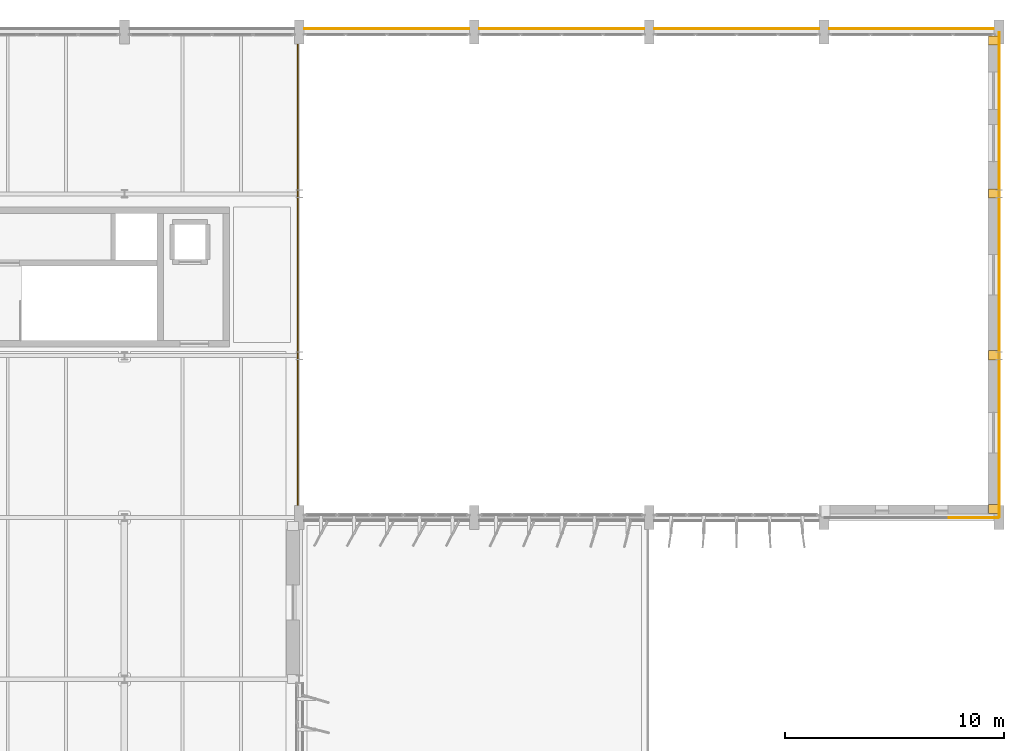
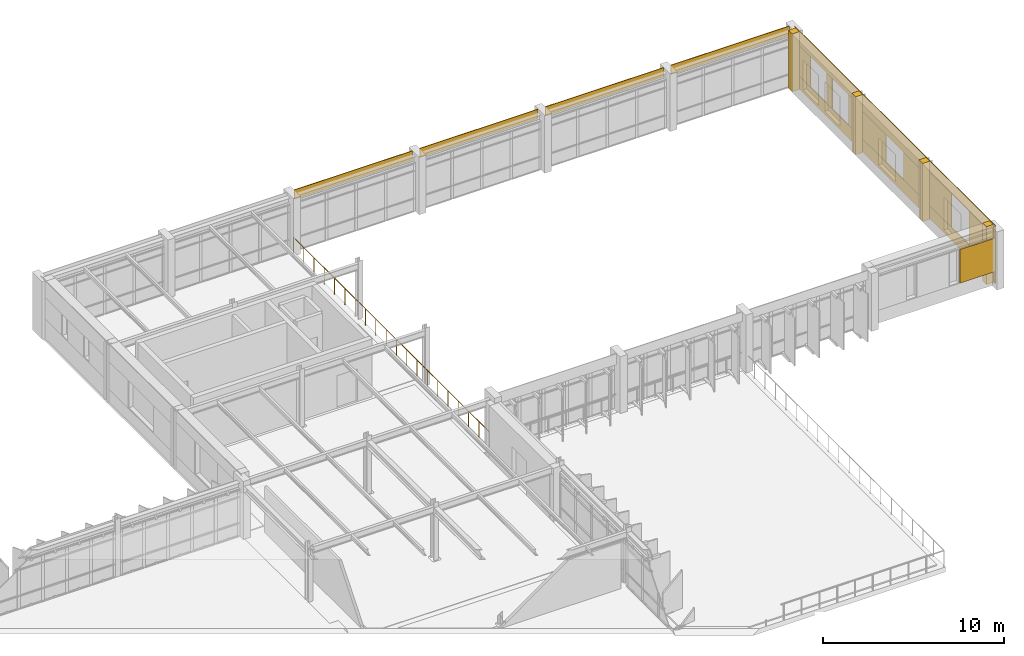
# One storey, part 45 of 45: 22 coverings, 1 railing.
"""IFC4 building model written with IfcOpenShell, lengths in metres."""

from ifc_helpers import new_model, si_unit, direction, frame, frame_2d, origin, origin_2d, place, context, subcontext, project, spatial, rectangle, circle, extrude, material, layer, layer_set, type_object, element, save


model = new_model("IFC4")

# Units and contexts
model_context = context("Model", 3, precision=1e-05, world=origin(), true_north=direction((0.0, 1.0)))
body_context = subcontext(model_context, "Body", "Model", "MODEL_VIEW")
ifc_project = project(units=[si_unit("LENGTHUNIT", "METRE"), si_unit("AREAUNIT", "SQUARE_METRE"), si_unit("VOLUMEUNIT", "CUBIC_METRE"), si_unit("PLANEANGLEUNIT", "RADIAN"), si_unit("MASSUNIT", "GRAM", prefix="KILO")], contexts=[model_context])

# Site, building, storey
site_placement = place(None, origin())
site = spatial("IfcSite", under=ifc_project, at=site_placement, CompositionType="ELEMENT")
building_placement = place(site_placement, origin())
building = spatial("IfcBuilding", under=site, at=building_placement, Name="Valkorina Park Police Headquarters", CompositionType="ELEMENT")
storey_placement = place(building_placement, frame((0.0, 0.0, 23.300048828125)))
storey = spatial("IfcBuildingStorey", under=building, at=storey_placement, Name="L06", CompositionType="ELEMENT", Elevation=23.300048828125)

# Coverings
ifc_material_1 = material(Name="Precast concrete C40/50", Category="concrete")
ifc_layer = layer(ifc_material_1, 0.044921875)
ifc_layer_set = layer_set([ifc_layer], Name="Precast concrete C40/50")
covering_type = type_object("IfcCoveringType", Name="COV-CLAD-DOLOMITE", PredefinedType="CLADDING", material=ifc_layer_set)
for number, where, z_axis, x_axis, name in (
    (1, (97.034912109375, 81.56005859375, 3.280029296875), (0.0, 0.0, 1.0), (1.0, 0.0, 0.0), "L06 Spandrel Beam Insulated Fascia 2506"),
    (2, (105.034912109375, 81.56005859375, 3.280029296875), (0.0, 0.0, 1.0), (1.0, 0.0, 0.0), "L06 Spandrel Beam Insulated Fascia 2507"),
    (3, (113.034912109375, 81.56005859375, 3.280029296875), (0.0, 0.0, 1.0), (1.0, 0.0, 0.0), "L06 Spandrel Beam Insulated Fascia 2508"),
    (4, (121.034912109375, 81.56005859375, 3.280029296875), (0.0, 0.0, 1.0), (1.0, 0.0, 0.0), "L06 Spandrel Beam Insulated Fascia 2509"),
):
    element("IfcCovering", number, at=place(storey_placement, frame(where, z_axis=z_axis, x_axis=x_axis)), inside=storey, type_object=covering_type, Name=name, PredefinedType="CLADDING", context=body_context, shape_type="SweptSolid", body=[
        extrude(rectangle(XDim=7.530029296875, YDim=0.044921875, at=frame_2d((3.76513671875, 0.0))), origin(), (0.0, 0.0, 1.0), 0.619873046875),
    ])
for number, where, z_axis, x_axis, name in (
    (5, (128.550048828125, 81.010009765625, 0.0), (0.0, 0.0, 1.0), (0.0, 1.0, 0.0), "L06 Exterior Joint Closure Pilaster A 2510"),
    (6, (128.550048828125, 74.02001953125, 0.0), (0.0, 0.0, 1.0), (0.0, 1.0, 0.0), "L06 Exterior Joint Closure Pilaster B 2511"),
):
    element("IfcCovering", number, at=place(storey_placement, frame(where, z_axis=z_axis, x_axis=x_axis)), inside=storey, type_object=covering_type, Name=name, PredefinedType="CLADDING", context=body_context, shape_type="SweptSolid", body=[
        extrude(rectangle(XDim=0.419921875, YDim=0.449951171875, at=origin_2d()), origin(), (0.0, 0.0, 1.0), 3.89990234375),
    ])
covering_1_placement = place(storey_placement, frame((128.81494140625, 81.3798828125, 0.0), z_axis=(0.0, 0.0, 1.0), x_axis=(0.0, -1.0, 0.0)))
element("IfcCovering", 7, at=covering_1_placement, inside=storey, type_object=covering_type, Name="L06 Calm Concrete Base Sill Spandrel 2512", PredefinedType="CLADDING", context=body_context, shape_type="SweptSolid", body=[
    extrude(rectangle(XDim=7.35986328125, YDim=0.044921875, at=frame_2d((3.679931640625, 0.0))), origin(), (0.0, 0.0, 1.0), 0.869873046875),
])
covering_2_placement = place(storey_placement, frame((128.81494140625, 81.3798828125, 2.929931640625), z_axis=(0.0, 0.0, 1.0), x_axis=(0.0, -1.0, 0.0)))
element("IfcCovering", 8, at=covering_2_placement, inside=storey, type_object=covering_type, Name="L06 Calm Concrete Base Lintel Spandrel 2513", PredefinedType="CLADDING", context=body_context, shape_type="SweptSolid", body=[
    extrude(rectangle(XDim=7.35986328125, YDim=0.044921875, at=frame_2d((3.679931640625, 0.0))), origin(), (0.0, 0.0, 1.0), 0.969970703125),
])
covering_3_placement = place(storey_placement, frame((128.81494140625, 81.3798828125, 0.869873046875), z_axis=(0.0, 0.0, 1.0), x_axis=(0.0, -1.0, 0.0)))
element("IfcCovering", 9, at=covering_3_placement, inside=storey, type_object=covering_type, Name="L06 Calm Concrete Base Slot Pier 2514", PredefinedType="CLADDING", context=body_context, shape_type="SweptSolid", body=[
    extrude(rectangle(XDim=1.767822265625, YDim=0.044921875, at=frame_2d((0.8837890625, 0.0))), origin(), (0.0, 0.0, 1.0), 2.06005859375),
])
covering_4_placement = place(storey_placement, frame((128.81494140625, 77.81201171875, 0.869873046875), z_axis=(0.0, 0.0, 1.0), x_axis=(0.0, -1.0, 0.0)))
element("IfcCovering", 10, at=covering_4_placement, inside=storey, type_object=covering_type, Name="L06 Calm Concrete Base Slot Pier 2515", PredefinedType="CLADDING", context=body_context, shape_type="SweptSolid", body=[
    extrude(rectangle(XDim=0.593994140625, YDim=0.044921875, at=frame_2d((0.296875, 0.0))), origin(), (0.0, 0.0, 1.0), 2.06005859375),
])
covering_5_placement = place(storey_placement, frame((128.81494140625, 75.41796875, 0.869873046875), z_axis=(0.0, 0.0, 1.0), x_axis=(0.0, -1.0, 0.0)))
element("IfcCovering", 11, at=covering_5_placement, inside=storey, type_object=covering_type, Name="L06 Calm Concrete Base Slot Pier 2516", PredefinedType="CLADDING", context=body_context, shape_type="SweptSolid", body=[
    extrude(rectangle(XDim=1.39794921875, YDim=0.044921875, at=frame_2d((0.698974609375, 0.0))), origin(), (0.0, 0.0, 1.0), 2.06005859375),
])
covering_6_placement = place(storey_placement, frame((128.550048828125, 66.6201171875, 0.0), z_axis=(0.0, 0.0, 1.0), x_axis=(0.0, 1.0, 0.0)))
element("IfcCovering", 12, at=covering_6_placement, inside=storey, type_object=covering_type, Name="L06 Exterior Joint Closure Pilaster B 2517", PredefinedType="CLADDING", context=body_context, shape_type="SweptSolid", body=[
    extrude(rectangle(XDim=0.419921875, YDim=0.449951171875, at=origin_2d()), origin(), (0.0, 0.0, 1.0), 3.89990234375),
])
covering_7_placement = place(storey_placement, frame((128.81494140625, 73.97998046875, 0.0), z_axis=(0.0, 0.0, 1.0), x_axis=(0.0, -1.0, 0.0)))
element("IfcCovering", 13, at=covering_7_placement, inside=storey, type_object=covering_type, Name="L06 Calm Concrete Base Sill Spandrel 2518", PredefinedType="CLADDING", context=body_context, shape_type="SweptSolid", body=[
    extrude(rectangle(XDim=7.35986328125, YDim=0.044921875, at=frame_2d((3.679931640625, 0.0))), origin(), (0.0, 0.0, 1.0), 0.869873046875),
])
covering_8_placement = place(storey_placement, frame((128.81494140625, 73.97998046875, 2.72998046875), z_axis=(0.0, 0.0, 1.0), x_axis=(0.0, -1.0, 0.0)))
element("IfcCovering", 14, at=covering_8_placement, inside=storey, type_object=covering_type, Name="L06 Calm Concrete Base Lintel Spandrel 2519", PredefinedType="CLADDING", context=body_context, shape_type="SweptSolid", body=[
    extrude(rectangle(XDim=7.35986328125, YDim=0.044921875, at=frame_2d((3.679931640625, 0.0))), origin(), (0.0, 0.0, 1.0), 1.169921875),
])
covering_9_placement = place(storey_placement, frame((128.81494140625, 73.97998046875, 0.869873046875), z_axis=(0.0, 0.0, 1.0), x_axis=(0.0, -1.0, 0.0)))
element("IfcCovering", 15, at=covering_9_placement, inside=storey, type_object=covering_type, Name="L06 Calm Concrete Base Slot Pier 2520", PredefinedType="CLADDING", context=body_context, shape_type="SweptSolid", body=[
    extrude(rectangle(XDim=2.705078125, YDim=0.044921875, at=frame_2d((1.3525390625, 0.0))), origin(), (0.0, 0.0, 1.0), 1.860107421875),
])
covering_10_placement = place(storey_placement, frame((128.81494140625, 69.324951171875, 0.869873046875), z_axis=(0.0, 0.0, 1.0), x_axis=(0.0, -1.0, 0.0)))
element("IfcCovering", 16, at=covering_10_placement, inside=storey, type_object=covering_type, Name="L06 Calm Concrete Base Slot Pier 2521", PredefinedType="CLADDING", context=body_context, shape_type="SweptSolid", body=[
    extrude(rectangle(XDim=2.704833984375, YDim=0.044921875, at=frame_2d((1.3525390625, 0.0))), origin(), (0.0, 0.0, 1.0), 1.860107421875),
])
covering_11_placement = place(storey_placement, frame((128.550048828125, 59.590087890625, 0.0), z_axis=(0.0, 0.0, 1.0), x_axis=(0.0, 1.0, 0.0)))
element("IfcCovering", 17, at=covering_11_placement, inside=storey, type_object=covering_type, Name="L06 Exterior Joint Closure Pilaster B 2522", PredefinedType="CLADDING", context=body_context, shape_type="SweptSolid", body=[
    extrude(rectangle(XDim=0.419921875, YDim=0.449951171875, at=origin_2d()), origin(), (0.0, 0.0, 1.0), 3.89990234375),
])
covering_12_placement = place(storey_placement, frame((128.81494140625, 66.580078125, 0.0), z_axis=(0.0, 0.0, 1.0), x_axis=(0.0, -1.0, 0.0)))
element("IfcCovering", 18, at=covering_12_placement, inside=storey, type_object=covering_type, Name="L06 Calm Concrete Base Sill Spandrel 2523", PredefinedType="CLADDING", context=body_context, shape_type="SweptSolid", body=[
    extrude(rectangle(XDim=7.360107421875, YDim=0.044921875, at=frame_2d((3.68017578125, 0.0))), origin(), (0.0, 0.0, 1.0), 0.869873046875),
])
covering_13_placement = place(storey_placement, frame((128.81494140625, 66.580078125, 3.1298828125), z_axis=(0.0, 0.0, 1.0), x_axis=(0.0, -1.0, 0.0)))
element("IfcCovering", 19, at=covering_13_placement, inside=storey, type_object=covering_type, Name="L06 Calm Concrete Base Lintel Spandrel 2524", PredefinedType="CLADDING", context=body_context, shape_type="SweptSolid", body=[
    extrude(rectangle(XDim=7.360107421875, YDim=0.044921875, at=frame_2d((3.68017578125, 0.0))), origin(), (0.0, 0.0, 1.0), 0.77001953125),
])
covering_14_placement = place(storey_placement, frame((128.81494140625, 66.580078125, 0.869873046875), z_axis=(0.0, 0.0, 1.0), x_axis=(0.0, -1.0, 0.0)))
element("IfcCovering", 20, at=covering_14_placement, inside=storey, type_object=covering_type, Name="L06 Calm Concrete Base Slot Pier 2525", PredefinedType="CLADDING", context=body_context, shape_type="SweptSolid", body=[
    extrude(rectangle(XDim=2.52001953125, YDim=0.044921875, at=frame_2d((1.260009765625, 0.0))), origin(), (0.0, 0.0, 1.0), 2.260009765625),
])
covering_15_placement = place(storey_placement, frame((128.81494140625, 62.110107421875, 0.869873046875), z_axis=(0.0, 0.0, 1.0), x_axis=(0.0, -1.0, 0.0)))
element("IfcCovering", 21, at=covering_15_placement, inside=storey, type_object=covering_type, Name="L06 Calm Concrete Base Slot Pier 2526", PredefinedType="CLADDING", context=body_context, shape_type="SweptSolid", body=[
    extrude(rectangle(XDim=2.89013671875, YDim=0.044921875, at=frame_2d((1.445068359375, 0.0))), origin(), (0.0, 0.0, 1.0), 2.260009765625),
])
covering_16_placement = place(storey_placement, frame((128.780029296875, 59.18505859375, 0.869873046875), z_axis=(0.0, 0.0, 1.0), x_axis=(-1.0, 0.0, 0.0)))
element("IfcCovering", 22, at=covering_16_placement, inside=storey, type_object=covering_type, Name="L06 Calm Concrete Base Slot Pier 2530", PredefinedType="CLADDING", context=body_context, shape_type="SweptSolid", body=[
    extrude(rectangle(XDim=2.274658203125, YDim=0.044921875, at=frame_2d((1.13720703125, 0.0))), origin(), (0.0, 0.0, 1.0), 2.260009765625),
])

# Railing
ifc_material_2 = material(Name="Stainless steel EN 1.4404", Category="steel")
railing_type = type_object("IfcRailingType", Name="RL-GUARD-INT-1100", PredefinedType="BALUSTRADE", material=ifc_material_2)
railing_placement = place(storey_placement, frame((96.719970703125, 59.5, 0.0)))
element("IfcRailing", 23, at=railing_placement, inside=storey, type_object=railing_type, Name="V2 Crisis Viewing Gallery Overlook Balustrade", PredefinedType="BALUSTRADE", context=body_context, shape_type="SweptSolid", body=[
    extrude(circle(Radius=0.02392578125, at=origin_2d()), frame((0.0, 0.0, 1.09619140625), z_axis=(0.0, 1.0, 0.0), x_axis=(-1.0, 0.0, 0.0)), (0.0, 0.0, 1.0), 21.60009765625),
    extrude(circle(Radius=0.02099609375, at=origin_2d()), origin(), (0.0, 0.0, 1.0), 1.072021484375),
    extrude(circle(Radius=0.02099609375, at=origin_2d()), frame((0.0, 1.136962890625, 0.0)), (0.0, 0.0, 1.0), 1.072021484375),
    extrude(circle(Radius=0.02099609375, at=origin_2d()), frame((0.0, 2.273681640625, 0.0)), (0.0, 0.0, 1.0), 1.072021484375),
    extrude(circle(Radius=0.02099609375, at=origin_2d()), frame((0.0, 3.41064453125, 0.0)), (0.0, 0.0, 1.0), 1.072021484375),
    extrude(circle(Radius=0.02099609375, at=origin_2d()), frame((0.0, 4.54736328125, 0.0)), (0.0, 0.0, 1.0), 1.072021484375),
    extrude(circle(Radius=0.02099609375, at=origin_2d()), frame((0.0, 5.684326171875, 0.0)), (0.0, 0.0, 1.0), 1.072021484375),
    extrude(circle(Radius=0.02099609375, at=origin_2d()), frame((0.0, 6.821044921875, 0.0)), (0.0, 0.0, 1.0), 1.072021484375),
    extrude(circle(Radius=0.02099609375, at=origin_2d()), frame((0.0, 7.9580078125, 0.0)), (0.0, 0.0, 1.0), 1.072021484375),
    extrude(circle(Radius=0.02099609375, at=origin_2d()), frame((0.0, 9.0947265625, 0.0)), (0.0, 0.0, 1.0), 1.072021484375),
    extrude(circle(Radius=0.02099609375, at=origin_2d()), frame((0.0, 10.231689453125, 0.0)), (0.0, 0.0, 1.0), 1.072021484375),
    extrude(circle(Radius=0.02099609375, at=origin_2d()), frame((0.0, 11.368408203125, 0.0)), (0.0, 0.0, 1.0), 1.072021484375),
    extrude(circle(Radius=0.02099609375, at=origin_2d()), frame((0.0, 12.50537109375, 0.0)), (0.0, 0.0, 1.0), 1.072021484375),
    extrude(circle(Radius=0.02099609375, at=origin_2d()), frame((0.0, 13.64208984375, 0.0)), (0.0, 0.0, 1.0), 1.072021484375),
    extrude(circle(Radius=0.02099609375, at=origin_2d()), frame((0.0, 14.779052734375, 0.0)), (0.0, 0.0, 1.0), 1.072021484375),
    extrude(circle(Radius=0.02099609375, at=origin_2d()), frame((0.0, 15.915771484375, 0.0)), (0.0, 0.0, 1.0), 1.072021484375),
    extrude(circle(Radius=0.02099609375, at=origin_2d()), frame((0.0, 17.052734375, 0.0)), (0.0, 0.0, 1.0), 1.072021484375),
    extrude(circle(Radius=0.02099609375, at=origin_2d()), frame((0.0, 18.189453125, 0.0)), (0.0, 0.0, 1.0), 1.072021484375),
    extrude(circle(Radius=0.02099609375, at=origin_2d()), frame((0.0, 19.326416015625, 0.0)), (0.0, 0.0, 1.0), 1.072021484375),
    extrude(circle(Radius=0.02099609375, at=origin_2d()), frame((0.0, 20.463134765625, 0.0)), (0.0, 0.0, 1.0), 1.072021484375),
    extrude(circle(Radius=0.02099609375, at=origin_2d()), frame((0.0, 21.60009765625, 0.0)), (0.0, 0.0, 1.0), 1.072021484375),
])

save(model, "model.ifc")
